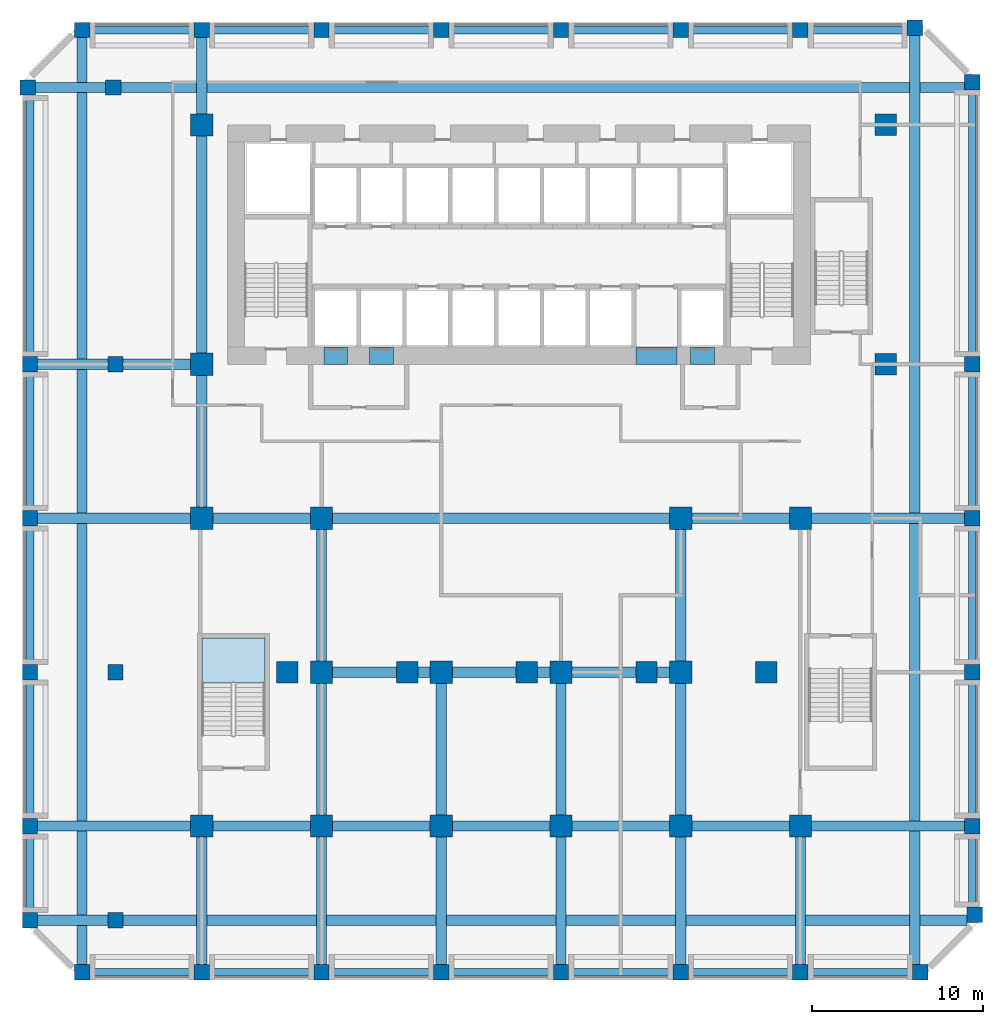
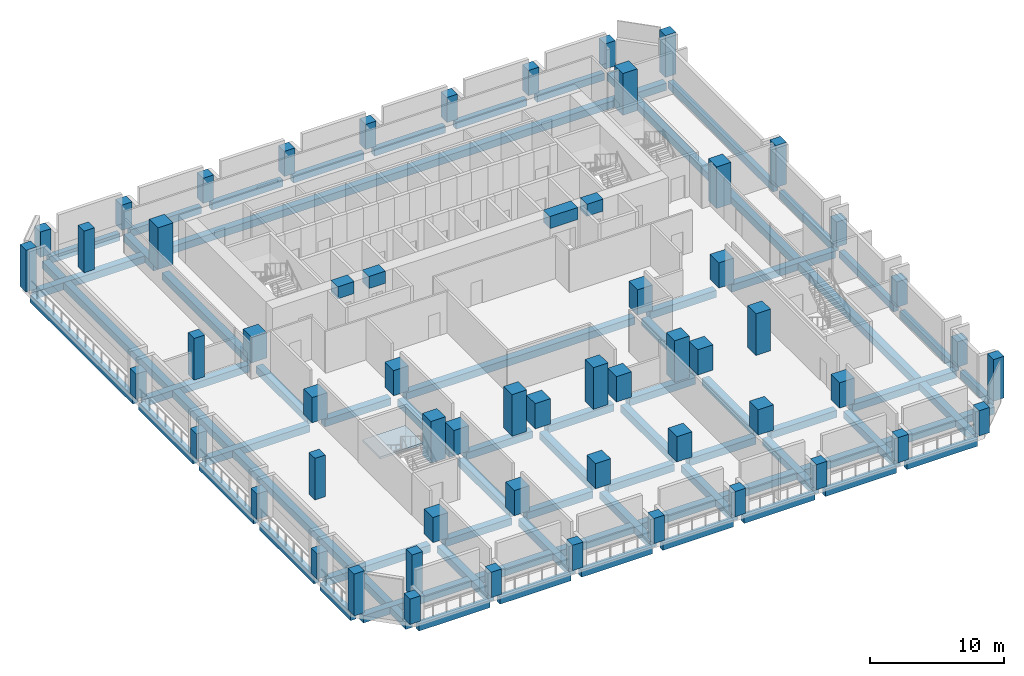
# One storey, part 1 of 10: 63 beams, 55 columns, 1 slab, 1 element without a shape of its own.
"""IFC4 building model written with IfcOpenShell, lengths in metres."""

import ifcopenshell
import ifcopenshell.guid

model = None  # the IFC model being written
_history = None  # IfcOwnerHistory: only IFC2X3 demands one
_inside = {}  # id of a spatial element -> (the spatial element, [elements in it])
_under = {}  # id of a project, library or spatial element -> (it, [spatial elements below it])
_declared = {}  # id of a project -> (the project, [libraries it declares])
_typed = {}  # id of a type object -> (the type object, [elements of that type])
_made_of = {}  # id of a material, layer set ... -> (it, [elements and type objects made of it])


def new_model(schema):
    """Start an empty IFC model of exactly this schema.

    Asked for "IFC4X3", IfcOpenShell would pick the latest addendum, in which some entities
    have other attributes; the version numbers below select the first issue.
    IFC2X3 requires an IfcOwnerHistory on every rooted entity: one is made here for all.
    """
    global model, _history
    if schema == "IFC4X3":
        model = ifcopenshell.file(schema_version=(4, 3, 0, 0))
    else:
        model = ifcopenshell.file(schema=schema)
    _inside.clear()
    _under.clear()
    _declared.clear()
    _typed.clear()
    _made_of.clear()
    _history = None
    if model.schema == "IFC2X3":
        org = make("IfcOrganization", Name="unknown")
        user = make(
            "IfcPersonAndOrganization",
            ThePerson=make("IfcPerson", FamilyName="unknown"),
            TheOrganization=org,
        )
        app = make(
            "IfcApplication",
            ApplicationDeveloper=org,
            Version="unknown",
            ApplicationFullName="unknown",
            ApplicationIdentifier="unknown",
        )
        _history = make(
            "IfcOwnerHistory",
            OwningUser=user,
            OwningApplication=app,
            ChangeAction="ADDED",
            CreationDate=0,
        )
    return model


def make(cls, **values):
    """One entity of the class cls with the attributes given. An attribute that is None is left unset."""
    return model.create_entity(
        cls, **{name: value for name, value in values.items() if value is not None}
    )


def rooted(cls, **values):
    """An entity with a GlobalId (a new one), such as an element, a storey or a relation."""
    return make(cls, GlobalId=ifcopenshell.guid.new(), OwnerHistory=_history, **values)


def si_unit(unit_type, name, prefix=None):
    """IfcSIUnit, for example si_unit("LENGTHUNIT", "METRE", prefix="MILLI")."""
    return make("IfcSIUnit", UnitType=unit_type, Prefix=prefix, Name=name)


def assignment(units):
    """IfcUnitAssignment: the units of a project."""
    return None if units is None else make("IfcUnitAssignment", Units=units)


def point(xyz):
    """IfcCartesianPoint."""
    return None if xyz is None else make("IfcCartesianPoint", Coordinates=xyz)


def direction(xyz):
    """IfcDirection."""
    return None if xyz is None else make("IfcDirection", DirectionRatios=xyz)


def frame(location, z_axis=None, x_axis=None):
    """IfcAxis2Placement3D, a coordinate frame: its origin and axes. An axis left out is left unset."""
    return make(
        "IfcAxis2Placement3D",
        Location=point(location),
        Axis=direction(z_axis),
        RefDirection=direction(x_axis),
    )


def frame_2d(location, x_axis=None):
    """IfcAxis2Placement2D, a coordinate frame in the plane: its origin and x axis."""
    return make(
        "IfcAxis2Placement2D", Location=point(location), RefDirection=direction(x_axis)
    )


def origin():
    """The frame at (0, 0, 0) with its axes left unset."""
    return frame((0.0, 0.0, 0.0))


def origin_2d():
    """The frame at (0, 0) in the plane with its x axis left unset."""
    return frame_2d((0.0, 0.0))


def place(relative_to, where):
    """IfcLocalPlacement: puts the frame where relative to a parent placement (None: the world)."""
    return make(
        "IfcLocalPlacement", PlacementRelTo=relative_to, RelativePlacement=where
    )


def context(
    kind, dimensions, precision=None, world=None, true_north=None, identifier=None
):
    """IfcGeometricRepresentationContext, for example the 3D "Model" context."""
    return make(
        "IfcGeometricRepresentationContext",
        ContextIdentifier=identifier,
        ContextType=kind,
        CoordinateSpaceDimension=dimensions,
        Precision=precision,
        WorldCoordinateSystem=world,
        TrueNorth=true_north,
    )


def subcontext(parent, identifier, kind, view, scale=None):
    """IfcGeometricRepresentationSubContext, for example "Body" below "Model"."""
    return make(
        "IfcGeometricRepresentationSubContext",
        ContextIdentifier=identifier,
        ContextType=kind,
        ParentContext=parent,
        TargetScale=scale,
        TargetView=view,
    )


def project(units=None, contexts=None):
    """IfcProject with its units and contexts."""
    return rooted(
        "IfcProject",
        Name="project",
        RepresentationContexts=contexts,
        UnitsInContext=assignment(units),
    )


def spatial(cls, under=None, at=None, **own):
    """A site, building, storey or space (cls), placed at a placement, below another one or the project."""
    s = rooted(cls, ObjectPlacement=at, **own)
    if under is not None:
        _under.setdefault(under.id(), (under, []))[1].append(s)
    return s


def polyline(points):
    """IfcPolyline through the points."""
    return make("IfcPolyline", Points=[point(p) for p in points])


def profile(cls, at=None, kind="AREA", **sizes):
    """A parametric profile (cls). Its sizes go by their IFC names, for example OverallWidth=200.0."""
    return make(cls, ProfileType=kind, Position=at, **sizes)


def rectangle(**sizes):
    """IfcRectangleProfileDef."""
    return profile("IfcRectangleProfileDef", **sizes)


def outline(outer, holes=None, kind="AREA"):
    """IfcArbitraryClosedProfileDef: a profile drawn as a closed curve; with holes, ...WithVoids."""
    if holes is None:
        return make("IfcArbitraryClosedProfileDef", ProfileType=kind, OuterCurve=outer)
    return make(
        "IfcArbitraryProfileDefWithVoids",
        ProfileType=kind,
        OuterCurve=outer,
        InnerCurves=holes,
    )


def extrude(swept, where, along, depth):
    """IfcExtrudedAreaSolid: the profile swept, set in the frame where, extruded along a direction by depth."""
    return make(
        "IfcExtrudedAreaSolid",
        SweptArea=swept,
        Position=where,
        ExtrudedDirection=direction(along),
        Depth=depth,
    )


def shape(context_of_items, identifier, shape_type, items):
    """IfcShapeRepresentation: the items that make up one representation, for example the "Body"."""
    return make(
        "IfcShapeRepresentation",
        ContextOfItems=context_of_items,
        RepresentationIdentifier=identifier,
        RepresentationType=shape_type,
        Items=items,
    )


def source(mapping_origin, context_of_items, identifier, shape_type, items):
    """IfcRepresentationMap: a shape defined once, which mapped items show again and again."""
    return make(
        "IfcRepresentationMap",
        MappingOrigin=mapping_origin,
        MappedRepresentation=shape(context_of_items, identifier, shape_type, items),
    )


def transform(
    local_origin,
    x_axis=None,
    y_axis=None,
    z_axis=None,
    scale=None,
    scale2=None,
    scale3=None,
    uniform=True,
):
    """IfcCartesianTransformationOperator3D, or its non-uniform kind. x_axis, y_axis, z_axis: its Axis1, 2, 3."""
    if uniform:
        return make(
            "IfcCartesianTransformationOperator3D",
            Axis1=direction(x_axis),
            Axis2=direction(y_axis),
            LocalOrigin=point(local_origin),
            Scale=scale,
            Axis3=direction(z_axis),
        )
    return make(
        "IfcCartesianTransformationOperator3DnonUniform",
        Axis1=direction(x_axis),
        Axis2=direction(y_axis),
        LocalOrigin=point(local_origin),
        Scale=scale,
        Axis3=direction(z_axis),
        Scale2=scale2,
        Scale3=scale3,
    )


def mapped(mapping_source, mapping_target):
    """IfcMappedItem: shows the shape of a source again, moved by a transform."""
    return make(
        "IfcMappedItem", MappingSource=mapping_source, MappingTarget=mapping_target
    )


def material(Name=None, Category=None):
    """IfcMaterial."""
    return make("IfcMaterial", Name=Name, Category=Category)


def layer(
    of_material, thickness, ventilated=None, Name=None, Category=None, Priority=None
):
    """IfcMaterialLayer: one layer of a wall or slab, of a material (None: an air gap)."""
    return make(
        "IfcMaterialLayer",
        Material=of_material,
        LayerThickness=thickness,
        IsVentilated=ventilated,
        Name=Name,
        Category=Category,
        Priority=Priority,
    )


def layer_set(layers, Name=None):
    """IfcMaterialLayerSet."""
    return make("IfcMaterialLayerSet", MaterialLayers=layers, LayerSetName=Name)


def material_profile(
    of_material, cross_section, Name=None, Category=None, Priority=None
):
    """IfcMaterialProfile: a cross section and its material."""
    return make(
        "IfcMaterialProfile",
        Name=Name,
        Material=of_material,
        Profile=cross_section,
        Priority=Priority,
        Category=Category,
    )


def profile_set(profiles, Name=None, composite=None):
    """IfcMaterialProfileSet."""
    return make(
        "IfcMaterialProfileSet",
        Name=Name,
        MaterialProfiles=profiles,
        CompositeProfile=composite,
    )


def made_of(thing, what):
    """Note that an element or type object is made of a material, layer set ...; save() writes the relation."""
    if what is not None:
        _made_of.setdefault(what.id(), (what, []))[1].append(thing)
    return thing


def type_object(cls, material=None, **own):
    """A type object (cls), such as IfcWallType, which elements share."""
    return made_of(rooted(cls, **own), material)


def element(
    cls,
    number,
    at=None,
    inside=None,
    cuts=None,
    type_object=None,
    material=None,
    context=None,
    identifier="Body",
    shape_type=None,
    held_by="IfcProductDefinitionShape",
    body=None,
    shapes=None,
    **own,
):
    """One element of the class cls, such as IfcWall. Its Tag is "e" and its number.

    at: its placement. inside: the storey or other place that contains it. cuts: it is an
    opening in that element (IfcRelVoidsElement). A single representation is given by context,
    identifier, shape_type and body (its items); several are given by shapes. held_by: the class
    of the entity that holds the representations. save() writes the other relations.
    """
    e = rooted(cls, Tag="e%d" % number, ObjectPlacement=at, **own)
    if body is not None:
        shapes = [shape(context, identifier, shape_type, body)]
    if shapes is not None:
        e.Representation = make(held_by, Representations=shapes)
    if inside is not None:
        _inside.setdefault(inside.id(), (inside, []))[1].append(e)
    if cuts is not None:
        rooted(
            "IfcRelVoidsElement", RelatingBuildingElement=cuts, RelatedOpeningElement=e
        )
    if type_object is not None:
        _typed.setdefault(type_object.id(), (type_object, []))[1].append(e)
    return made_of(e, material)


def aggregate(whole, parts):
    """IfcRelAggregates: a whole, such as a stair, and the parts it consists of."""
    return rooted("IfcRelAggregates", RelatingObject=whole, RelatedObjects=parts)


def save(model, path):
    """Write the relations noted so far, then the file.

    IfcRelAggregates (storeys below a building ...), IfcRelContainedInSpatialStructure (elements
    in a storey), IfcRelDefinesByType, IfcRelAssociatesMaterial and IfcRelDeclares: one each for
    every whole, place, type object, material and project.
    """
    for whole, parts in _under.values():
        aggregate(whole, parts)
    for where, things in _inside.values():
        rooted(
            "IfcRelContainedInSpatialStructure",
            RelatedElements=things,
            RelatingStructure=where,
        )
    for kind, things in _typed.values():
        rooted("IfcRelDefinesByType", RelatedObjects=things, RelatingType=kind)
    for what, things in _made_of.values():
        rooted("IfcRelAssociatesMaterial", RelatedObjects=things, RelatingMaterial=what)
    for by, libraries in _declared.values():
        rooted("IfcRelDeclares", RelatingContext=by, RelatedDefinitions=libraries)
    model.write(path)


model = new_model("IFC4")

# Units and contexts
model_context = context("Model", 3, precision=1e-05, world=origin(), true_north=direction((0.0, 1.0)))
body_context = subcontext(model_context, "Body", "Model", "MODEL_VIEW")
ifc_project = project(units=[si_unit("LENGTHUNIT", "METRE"), si_unit("AREAUNIT", "SQUARE_METRE"), si_unit("VOLUMEUNIT", "CUBIC_METRE"), si_unit("PLANEANGLEUNIT", "RADIAN"), si_unit("MASSUNIT", "GRAM", prefix="KILO")], contexts=[model_context])

# Site, building, storey
site_placement = place(None, origin())
site = spatial("IfcSite", under=ifc_project, at=site_placement, CompositionType="ELEMENT")
building_placement = place(site_placement, origin())
building = spatial("IfcBuilding", under=site, at=building_placement, Name="Kilnfold Tower and Market Hall", CompositionType="ELEMENT")
storey_placement = place(building_placement, frame((0.0, 0.0, 59.0)))
storey = spatial("IfcBuildingStorey", under=building, at=storey_placement, Name="L13 Plant Transfer Level", CompositionType="ELEMENT", Elevation=59.0)

# Columns
ifc_material_1 = material(Name="Concrete C80", Category="concrete")
ifc_material_profile_1 = material_profile(ifc_material_1, rectangle(XDim=0.89990234375, YDim=0.89990234375, at=origin_2d()), Name="RC 900x900")
ifc_profile_set_1 = profile_set([ifc_material_profile_1], Name="Concrete C80")
column_type_1 = type_object("IfcColumnType", Name="COLUMN 900X900 C80", PredefinedType="COLUMN", material=ifc_profile_set_1)
shared_shape_1 = source(origin(), body_context, "Body", "SweptSolid", [
    extrude(rectangle(XDim=0.89990234375, YDim=0.89990234375, at=origin_2d()), origin(), (0.0, 0.0, 1.0), 3.800048828125),
])
for number, where, z_axis, x_axis, name in (
    (1, (-27.681884765625, 24.181884765625, 0.0), (0.0, 0.0, 1.0), (1.0, 0.0, 0.0), "Column C-B1-1H"),
    (2, (-27.550048828125, -24.5, 0.0), (0.0, 0.0, 1.0), (1.0, 0.0, 0.0), "Column C-B1-1B"),
    (3, (27.550048828125, 8.0, 0.0), (0.0, 0.0, 1.0), (1.0, 0.0, 0.0), "Column C-B1-10F"),
    (4, (27.550048828125, 24.5, 0.0), (0.0, 0.0, 1.0), (1.0, 0.0, 0.0), "Column C-B1-10H"),
    (5, (27.681884765625, -24.181884765625, 0.0), (0.0, 0.0, 1.0), (1.0, 0.0, 0.0), "Column C-B1-10B"),
    (6, (-22.550048828125, -24.5, 0.0), (0.0, 0.0, 1.0), (1.0, 0.0, 0.0), "Column C-B2-1B"),
    (7, (-22.550048828125, -10.0, 0.0), (0.0, 0.0, 1.0), (1.0, 0.0, 0.0), "Column C-B2-1D"),
    (8, (-22.550048828125, 8.0, 0.0), (0.0, 0.0, 1.0), (1.0, 0.0, 0.0), "Column C-B2-1F"),
    (9, (-22.681884765625, 24.181884765625, 0.0), (0.0, 0.0, 1.0), (1.0, 0.0, 0.0), "Column C-B2-1H"),
):
    element("IfcColumn", number, at=place(storey_placement, frame(where, z_axis=z_axis, x_axis=x_axis)), inside=storey, type_object=column_type_1, Name=name, PredefinedType="COLUMN", context=body_context, shape_type="MappedRepresentation", body=[
        mapped(shared_shape_1, transform((0.0, 0.0, 0.0))),
    ])
shared_shape_2 = source(origin(), body_context, "Body", "SweptSolid", [
    extrude(rectangle(XDim=0.89990234375, YDim=0.89990234375, at=origin_2d()), origin(), (0.0, 0.0, 1.0), 2.300048828125),
])
for number, where, z_axis, x_axis, name in (
    (10, (-27.550048828125, -19.0, 0.0), (0.0, 0.0, 1.0), (1.0, 0.0, 0.0), "Column C-B1-1C"),
    (11, (-27.550048828125, -10.0, 0.0), (0.0, 0.0, 1.0), (1.0, 0.0, 0.0), "Column C-B1-1D"),
    (12, (-27.550048828125, -1.0, 0.0), (0.0, 0.0, 1.0), (1.0, 0.0, 0.0), "Column C-B1-1E"),
    (13, (-27.550048828125, 8.0, 0.0), (0.0, 0.0, 1.0), (1.0, 0.0, 0.0), "Column C-B1-1F"),
    (14, (-24.5, -27.550048828125, 0.0), (0.0, 0.0, 1.0), (1.0, 0.0, 0.0), "Column C-B1-2A"),
    (15, (-24.5, 27.550048828125, 0.0), (0.0, 0.0, 1.0), (1.0, 0.0, 0.0), "Column C-B1-2I"),
    (16, (-17.5, -27.550048828125, 0.0), (0.0, 0.0, 1.0), (1.0, 0.0, 0.0), "Column C-B1-3A"),
    (17, (-17.5, 27.550048828125, 0.0), (0.0, 0.0, 1.0), (1.0, 0.0, 0.0), "Column C-B1-3I"),
    (18, (-10.5, -27.550048828125, 0.0), (0.0, 0.0, 1.0), (1.0, 0.0, 0.0), "Column C-B1-4A"),
    (19, (-10.5, 27.550048828125, 0.0), (0.0, 0.0, 1.0), (1.0, 0.0, 0.0), "Column C-B1-4I"),
    (20, (-3.5, -27.550048828125, 0.0), (0.0, 0.0, 1.0), (1.0, 0.0, 0.0), "Column C-B1-5A"),
    (21, (-3.5, 27.550048828125, 0.0), (0.0, 0.0, 1.0), (1.0, 0.0, 0.0), "Column C-B1-5I"),
    (22, (3.5, -27.550048828125, 0.0), (0.0, 0.0, 1.0), (1.0, 0.0, 0.0), "Column C-B1-6A"),
    (23, (3.5, 27.550048828125, 0.0), (0.0, 0.0, 1.0), (1.0, 0.0, 0.0), "Column C-B1-6I"),
    (24, (10.5, -27.550048828125, 0.0), (0.0, 0.0, 1.0), (1.0, 0.0, 0.0), "Column C-B1-7A"),
    (25, (10.5, 27.550048828125, 0.0), (0.0, 0.0, 1.0), (1.0, 0.0, 0.0), "Column C-B1-7I"),
    (26, (17.5, -27.550048828125, 0.0), (0.0, 0.0, 1.0), (1.0, 0.0, 0.0), "Column C-B1-8A"),
    (27, (17.5, 27.550048828125, 0.0), (0.0, 0.0, 1.0), (1.0, 0.0, 0.0), "Column C-B1-8I"),
    (28, (24.181884765625, 27.681884765625, 0.0), (0.0, 0.0, 1.0), (1.0, 0.0, 0.0), "Column C-B1-9I"),
    (29, (24.5, -27.550048828125, 0.0), (0.0, 0.0, 1.0), (1.0, 0.0, 0.0), "Column C-B1-9A"),
    (30, (27.550048828125, -19.0, 0.0), (0.0, 0.0, 1.0), (1.0, 0.0, 0.0), "Column C-B1-10C"),
    (31, (27.550048828125, -10.0, 0.0), (0.0, 0.0, 1.0), (1.0, 0.0, 0.0), "Column C-B1-10D"),
    (32, (27.550048828125, -1.0, 0.0), (0.0, 0.0, 1.0), (1.0, 0.0, 0.0), "Column C-B1-10E"),
):
    element("IfcColumn", number, at=place(storey_placement, frame(where, z_axis=z_axis, x_axis=x_axis)), inside=storey, type_object=column_type_1, Name=name, PredefinedType="COLUMN", context=body_context, shape_type="MappedRepresentation", body=[
        mapped(shared_shape_2, transform((0.0, 0.0, 0.0))),
    ])
ifc_material_2 = material(Name="Concrete C80", Category="concrete")
ifc_material_profile_2 = material_profile(ifc_material_2, rectangle(XDim=1.300048828125, YDim=1.300048828125, at=origin_2d()), Name="RC 1300x1300")
ifc_profile_set_2 = profile_set([ifc_material_profile_2], Name="Concrete C80")
column_type_2 = type_object("IfcColumnType", Name="COLUMN 1300X1300 C80", PredefinedType="COLUMN", material=ifc_profile_set_2)
shared_shape_3 = source(origin(), body_context, "Body", "SweptSolid", [
    extrude(rectangle(XDim=1.300048828125, YDim=1.300048828125, at=origin_2d()), origin(), (0.0, 0.0, 1.0), 2.300048828125),
])
for number, where, z_axis, x_axis, name in (
    (33, (-17.5, -19.0, 0.0), (0.0, 0.0, 1.0), (1.0, 0.0, 0.0), "Column C-B1-3C"),
    (34, (-17.5, -1.0, 0.0), (0.0, 0.0, 1.0), (1.0, 0.0, 0.0), "Column C-B1-3E"),
    (35, (-17.5, 8.0, 0.0), (0.0, 0.0, 1.0), (1.0, 0.0, 0.0), "Column C-B1-3F"),
    (36, (-10.5, -19.0, 0.0), (0.0, 0.0, 1.0), (1.0, 0.0, 0.0), "Column C-B1-4C"),
    (37, (-10.5, -10.0, 0.0), (0.0, 0.0, 1.0), (1.0, 0.0, 0.0), "Column C-B1-4D"),
    (38, (-10.5, -1.0, 0.0), (0.0, 0.0, 1.0), (1.0, 0.0, 0.0), "Column C-B1-4E"),
    (39, (-3.5, -19.0, 0.0), (0.0, 0.0, 1.0), (1.0, 0.0, 0.0), "Column C-B1-5C"),
    (40, (-3.5, -10.0, 0.0), (0.0, 0.0, 1.0), (1.0, 0.0, 0.0), "Column C-B1-5D"),
    (41, (3.5, -19.0, 0.0), (0.0, 0.0, 1.0), (1.0, 0.0, 0.0), "Column C-B1-6C"),
    (42, (3.5, -10.0, 0.0), (0.0, 0.0, 1.0), (1.0, 0.0, 0.0), "Column C-B1-6D"),
    (43, (10.5, -19.0, 0.0), (0.0, 0.0, 1.0), (1.0, 0.0, 0.0), "Column C-B1-7C"),
    (44, (10.5, -10.0, 0.0), (0.0, 0.0, 1.0), (1.0, 0.0, 0.0), "Column C-B1-7D"),
    (45, (10.5, -1.0, 0.0), (0.0, 0.0, 1.0), (1.0, 0.0, 0.0), "Column C-B1-7E"),
    (46, (17.5, -19.0, 0.0), (0.0, 0.0, 1.0), (1.0, 0.0, 0.0), "Column C-B1-8C"),
    (47, (17.5, -1.0, 0.0), (0.0, 0.0, 1.0), (1.0, 0.0, 0.0), "Column C-B1-8E"),
):
    element("IfcColumn", number, at=place(storey_placement, frame(where, z_axis=z_axis, x_axis=x_axis)), inside=storey, type_object=column_type_2, Name=name, PredefinedType="COLUMN", context=body_context, shape_type="MappedRepresentation", body=[
        mapped(shared_shape_3, transform((0.0, 0.0, 0.0))),
    ])
shared_shape_4 = source(origin(), body_context, "Body", "SweptSolid", [
    extrude(rectangle(XDim=1.300048828125, YDim=1.300048828125, at=origin_2d()), origin(), (0.0, 0.0, 1.0), 3.800048828125),
])
column_placement = place(storey_placement, frame((-17.5, 22.0, 0.0), z_axis=(0.0, 0.0, 1.0), x_axis=(1.0, 0.0, 0.0)))
element("IfcColumn", 48, at=column_placement, inside=storey, type_object=column_type_2, Name="Column C-B1-3G", PredefinedType="COLUMN", context=body_context, shape_type="MappedRepresentation", body=[
    mapped(shared_shape_4, transform((0.0, 0.0, 0.0))),
])
ifc_material_3 = material(Name="Concrete C80", Category="concrete")
ifc_material_profile_3 = material_profile(ifc_material_3, rectangle(XDim=1.25, YDim=1.25, at=origin_2d()), Name="RC 1250x1250")
ifc_profile_set_3 = profile_set([ifc_material_profile_3], Name="Concrete C80")
column_type_3 = type_object("IfcColumnType", Name="COLUMN 1250X1250 C80", PredefinedType="COLUMN", material=ifc_profile_set_3)
shared_shape_5 = source(origin(), body_context, "Body", "SweptSolid", [
    extrude(rectangle(XDim=1.25, YDim=1.25, at=origin_2d()), origin(), (0.0, 0.0, 1.0), 3.800048828125),
])
for number, where, z_axis, x_axis, name in (
    (49, (-12.5, -10.0, 0.0), (0.0, 0.0, 1.0), (1.0, 0.0, 0.0), "Column C-B2-3D"),
    (50, (-5.5, -10.0, 0.0), (0.0, 0.0, 1.0), (1.0, 0.0, 0.0), "Column C-B2-4D"),
    (51, (1.5, -10.0, 0.0), (0.0, 0.0, 1.0), (1.0, 0.0, 0.0), "Column C-B2-5D"),
    (52, (8.5, -10.0, 0.0), (0.0, 0.0, 1.0), (1.0, 0.0, 0.0), "Column C-B2-6D"),
    (53, (15.5, -10.0, 0.0), (0.0, 0.0, 1.0), (1.0, 0.0, 0.0), "Column C-B2-7D"),
    (54, (22.5, 8.0, 0.0), (0.0, 0.0, 1.0), (1.0, 0.0, 0.0), "Column C-B2-8F"),
    (55, (22.5, 22.0, 0.0), (0.0, 0.0, 1.0), (1.0, 0.0, 0.0), "Column C-B2-8G"),
):
    element("IfcColumn", number, at=place(storey_placement, frame(where, z_axis=z_axis, x_axis=x_axis)), inside=storey, type_object=column_type_3, Name=name, PredefinedType="COLUMN", context=body_context, shape_type="MappedRepresentation", body=[
        mapped(shared_shape_5, transform((0.0, 0.0, 0.0))),
    ])

# Beams
ifc_material_4 = material(Name="Concrete C45", Category="concrete")
ifc_material_profile_4 = material_profile(ifc_material_4, rectangle(XDim=0.449951171875, YDim=0.64990234375, at=origin_2d()), Name="RC 450x650")
ifc_profile_set_4 = profile_set([ifc_material_profile_4], Name="Concrete C45")
beam_type_1 = type_object("IfcBeamType", Name="EDGE BEAM 450X650 C45", PredefinedType="BEAM", material=ifc_profile_set_4)
shared_shape_6 = source(origin(), body_context, "Body", "SweptSolid", [
    extrude(rectangle(XDim=0.449951171875, YDim=0.64990234375, at=origin_2d()), origin(), (0.0, 0.0, 1.0), 6.10009765625),
])
for number, where, z_axis, x_axis, name in (
    (56, (-24.050048828125, -27.550048828125, -0.72509765625), (1.0, 0.0, 0.0), (0.0, 1.0, 0.0), "Beam EB650-B1.1"),
    (57, (-17.050048828125, -27.550048828125, -0.72509765625), (1.0, 0.0, 0.0), (0.0, 1.0, 0.0), "Beam EB650-B1.54"),
    (58, (-10.050048828125, -27.550048828125, -0.72509765625), (1.0, 0.0, 0.0), (0.0, 1.0, 0.0), "Beam EB650-B1.2"),
    (59, (-3.050048828125, -27.550048828125, -0.72509765625), (1.0, 0.0, 0.0), (0.0, 1.0, 0.0), "Beam EB650-B1.3"),
    (60, (3.949951171875, -27.550048828125, -0.72509765625), (1.0, 0.0, 0.0), (0.0, 1.0, 0.0), "Beam EB650-B1.4"),
    (61, (10.949951171875, -27.550048828125, -0.72509765625), (1.0, 0.0, 0.0), (0.0, 1.0, 0.0), "Beam EB650-B1.5"),
    (62, (17.949951171875, -27.550048828125, -0.72509765625), (1.0, 0.0, 0.0), (0.0, 1.0, 0.0), "Beam EB650-B1.6"),
    (63, (-24.050048828125, 27.550048828125, -0.72509765625), (1.0, 0.0, 0.0), (0.0, 1.0, 0.0), "Beam EB650-B1.23"),
    (64, (-17.050048828125, 27.550048828125, -0.72509765625), (1.0, 0.0, 0.0), (0.0, 1.0, 0.0), "Beam EB650-B1.24"),
    (65, (-10.050048828125, 27.550048828125, -0.72509765625), (1.0, 0.0, 0.0), (0.0, 1.0, 0.0), "Beam EB650-B1.25"),
    (66, (-3.050048828125, 27.550048828125, -0.72509765625), (1.0, 0.0, 0.0), (0.0, 1.0, 0.0), "Beam EB650-B1.26"),
    (67, (3.949951171875, 27.550048828125, -0.72509765625), (1.0, 0.0, 0.0), (0.0, 1.0, 0.0), "Beam EB650-B1.27"),
    (68, (10.949951171875, 27.550048828125, -0.72509765625), (1.0, 0.0, 0.0), (0.0, 1.0, 0.0), "Beam EB650-B1.28"),
):
    element("IfcBeam", number, at=place(storey_placement, frame(where, z_axis=z_axis, x_axis=x_axis)), inside=storey, type_object=beam_type_1, Name=name, PredefinedType="BEAM", context=body_context, shape_type="MappedRepresentation", body=[
        mapped(shared_shape_6, transform((0.0, 0.0, 0.0))),
    ])
ifc_material_5 = material(Name="Concrete C45", Category="concrete")
ifc_material_profile_5 = material_profile(ifc_material_5, rectangle(XDim=0.60009765625, YDim=0.64990234375, at=origin_2d()), Name="RC 600x650")
ifc_profile_set_5 = profile_set([ifc_material_profile_5], Name="Concrete C45")
beam_type_2 = type_object("IfcBeamType", Name="BEAM 600X650 C45", PredefinedType="BEAM", material=ifc_profile_set_5)
shared_shape_7 = source(origin(), body_context, "Body", "SweptSolid", [
    extrude(rectangle(XDim=0.60009765625, YDim=0.64990234375, at=origin_2d()), origin(), (0.0, 0.0, 1.0), 8.9501953125),
])
for number, where, z_axis, x_axis, name in (
    (69, (-27.10009765625, -19.0, -0.72509765625), (1.0, 0.0, 0.0), (0.0, 1.0, 0.0), "Beam BB650-B1.7"),
    (70, (18.14990234375, -19.0, -0.72509765625), (1.0, 0.0, 0.0), (0.0, 1.0, 0.0), "Beam BB650-B1.12"),
    (71, (-27.10009765625, -1.0, -0.72509765625), (1.0, 0.0, 0.0), (0.0, 1.0, 0.0), "Beam BB650-B1.16"),
    (72, (18.14990234375, -1.0, -0.72509765625), (1.0, 0.0, 0.0), (0.0, 1.0, 0.0), "Beam BB650-B1.20"),
    (73, (-27.10009765625, 8.0, -0.72509765625), (1.0, 0.0, 0.0), (0.0, 1.0, 0.0), "Beam BB650-B1.21"),
):
    element("IfcBeam", number, at=place(storey_placement, frame(where, z_axis=z_axis, x_axis=x_axis)), inside=storey, type_object=beam_type_2, Name=name, PredefinedType="BEAM", context=body_context, shape_type="MappedRepresentation", body=[
        mapped(shared_shape_7, transform((0.0, 0.0, 0.0))),
    ])
shared_shape_8 = source(origin(), body_context, "Body", "SweptSolid", [
    extrude(rectangle(XDim=0.60009765625, YDim=0.64990234375, at=origin_2d()), origin(), (0.0, 0.0, 1.0), 5.7001953125),
])
for number, where, z_axis, x_axis, name in (
    (74, (-16.85009765625, -19.0, -0.72509765625), (1.0, 0.0, 0.0), (0.0, 1.0, 0.0), "Beam BB650-B1.56"),
    (75, (-9.85009765625, -19.0, -0.72509765625), (1.0, 0.0, 0.0), (0.0, 1.0, 0.0), "Beam BB650-B1.8"),
    (76, (-2.85009765625, -19.0, -0.72509765625), (1.0, 0.0, 0.0), (0.0, 1.0, 0.0), "Beam BB650-B1.9"),
    (77, (4.14990234375, -19.0, -0.72509765625), (1.0, 0.0, 0.0), (0.0, 1.0, 0.0), "Beam BB650-B1.10"),
    (78, (11.14990234375, -19.0, -0.72509765625), (1.0, 0.0, 0.0), (0.0, 1.0, 0.0), "Beam BB650-B1.11"),
    (79, (-9.85009765625, -10.0, -0.72509765625), (1.0, 0.0, 0.0), (0.0, 1.0, 0.0), "Beam BB650-B1.13"),
    (80, (-2.85009765625, -10.0, -0.72509765625), (1.0, 0.0, 0.0), (0.0, 1.0, 0.0), "Beam BB650-B1.14"),
    (81, (4.14990234375, -10.0, -0.72509765625), (1.0, 0.0, 0.0), (0.0, 1.0, 0.0), "Beam BB650-B1.15"),
    (82, (-16.85009765625, -1.0, -0.72509765625), (1.0, 0.0, 0.0), (0.0, 1.0, 0.0), "Beam BB650-B1.17"),
    (83, (11.14990234375, -1.0, -0.72509765625), (1.0, 0.0, 0.0), (0.0, 1.0, 0.0), "Beam BB650-B1.19"),
):
    element("IfcBeam", number, at=place(storey_placement, frame(where, z_axis=z_axis, x_axis=x_axis)), inside=storey, type_object=beam_type_2, Name=name, PredefinedType="BEAM", context=body_context, shape_type="MappedRepresentation", body=[
        mapped(shared_shape_8, transform((0.0, 0.0, 0.0))),
    ])
shared_shape_9 = source(origin(), body_context, "Body", "SweptSolid", [
    extrude(rectangle(XDim=0.60009765625, YDim=0.64990234375, at=origin_2d()), origin(), (0.0, 0.0, 1.0), 19.7001953125),
])
beam_1_placement = place(storey_placement, frame((-9.85009765625, -1.0, -0.72509765625), z_axis=(1.0, 0.0, 0.0), x_axis=(0.0, 1.0, 0.0)))
element("IfcBeam", 84, at=beam_1_placement, inside=storey, type_object=beam_type_2, Name="Beam BB650-B1.18", PredefinedType="BEAM", context=body_context, shape_type="MappedRepresentation", body=[
    mapped(shared_shape_9, transform((0.0, 0.0, 0.0))),
])
shared_shape_10 = source(origin(), body_context, "Body", "SweptSolid", [
    extrude(rectangle(XDim=0.60009765625, YDim=0.64990234375, at=origin_2d()), origin(), (0.0, 0.0, 1.0), 54.331787109375),
])
for number, where, z_axis, x_axis, name in (
    (85, (-27.10009765625, -24.5, -0.72509765625), (1.0, 0.0, 0.0), (0.0, 1.0, 0.0), "Beam BB650-B1.55"),
    (86, (-27.231689453125, 24.179931640625, -0.72509765625), (1.0, 0.0, 0.0), (0.0, 1.0, 0.0), "Beam BB650-B1.22"),
    (87, (24.179931640625, -27.10009765625, -0.72509765625), (0.0, 1.0, 0.0), (-1.0, 0.0, 0.0), "Beam BB650-B1.57"),
):
    element("IfcBeam", number, at=place(storey_placement, frame(where, z_axis=z_axis, x_axis=x_axis)), inside=storey, type_object=beam_type_2, Name=name, PredefinedType="BEAM", context=body_context, shape_type="MappedRepresentation", body=[
        mapped(shared_shape_10, transform((0.0, 0.0, 0.0))),
    ])
shared_shape_11 = source(origin(), body_context, "Body", "SweptSolid", [
    extrude(rectangle(XDim=0.449951171875, YDim=0.64990234375, at=origin_2d()), origin(), (0.0, 0.0, 1.0), 5.78173828125),
])
beam_2_placement = place(storey_placement, frame((17.949951171875, 27.550048828125, -0.72509765625), z_axis=(1.0, 0.0, 0.0), x_axis=(0.0, 1.0, 0.0)))
element("IfcBeam", 88, at=beam_2_placement, inside=storey, type_object=beam_type_1, Name="Beam EB650-B1.29", PredefinedType="BEAM", context=body_context, shape_type="MappedRepresentation", body=[
    mapped(shared_shape_11, transform((0.0, 0.0, 0.0))),
])
shared_shape_12 = source(origin(), body_context, "Body", "SweptSolid", [
    extrude(rectangle(XDim=0.449951171875, YDim=0.64990234375, at=origin_2d()), origin(), (0.0, 0.0, 1.0), 4.60009765625),
])
beam_3_placement = place(storey_placement, frame((-27.550048828125, -24.050048828125, -0.72509765625), z_axis=(0.0, 1.0, 0.0), x_axis=(-1.0, 0.0, 0.0)))
element("IfcBeam", 89, at=beam_3_placement, inside=storey, type_object=beam_type_1, Name="Beam EB650-B1.30", PredefinedType="BEAM", context=body_context, shape_type="MappedRepresentation", body=[
    mapped(shared_shape_12, transform((0.0, 0.0, 0.0))),
])
shared_shape_13 = source(origin(), body_context, "Body", "SweptSolid", [
    extrude(rectangle(XDim=0.449951171875, YDim=0.64990234375, at=origin_2d()), origin(), (0.0, 0.0, 1.0), 8.10009765625),
])
for number, where, z_axis, x_axis, name in (
    (90, (-27.550048828125, -18.550048828125, -0.72509765625), (0.0, 1.0, 0.0), (-1.0, 0.0, 0.0), "Beam EB650-B1.31"),
    (91, (-27.550048828125, -9.550048828125, -0.72509765625), (0.0, 1.0, 0.0), (-1.0, 0.0, 0.0), "Beam EB650-B1.32"),
    (92, (-27.550048828125, -0.550048828125, -0.72509765625), (0.0, 1.0, 0.0), (-1.0, 0.0, 0.0), "Beam EB650-B1.33"),
    (93, (27.550048828125, -18.550048828125, -0.72509765625), (0.0, 1.0, 0.0), (-1.0, 0.0, 0.0), "Beam EB650-B1.52"),
    (94, (27.550048828125, -9.550048828125, -0.72509765625), (0.0, 1.0, 0.0), (-1.0, 0.0, 0.0), "Beam EB650-B1.58"),
    (95, (27.550048828125, -0.550048828125, -0.72509765625), (0.0, 1.0, 0.0), (-1.0, 0.0, 0.0), "Beam EB650-B1.53"),
):
    element("IfcBeam", number, at=place(storey_placement, frame(where, z_axis=z_axis, x_axis=x_axis)), inside=storey, type_object=beam_type_1, Name=name, PredefinedType="BEAM", context=body_context, shape_type="MappedRepresentation", body=[
        mapped(shared_shape_13, transform((0.0, 0.0, 0.0))),
    ])
shared_shape_14 = source(origin(), body_context, "Body", "SweptSolid", [
    extrude(rectangle(XDim=0.449951171875, YDim=0.64990234375, at=origin_2d()), origin(), (0.0, 0.0, 1.0), 15.28173828125),
])
beam_4_placement = place(storey_placement, frame((-27.550048828125, 8.449951171875, -0.72509765625), z_axis=(0.0, 1.0, 0.0), x_axis=(-1.0, 0.0, 0.0)))
element("IfcBeam", 96, at=beam_4_placement, inside=storey, type_object=beam_type_1, Name="Beam EB650-B1.34", PredefinedType="BEAM", context=body_context, shape_type="MappedRepresentation", body=[
    mapped(shared_shape_14, transform((0.0, 0.0, 0.0))),
])
shared_shape_15 = source(origin(), body_context, "Body", "SweptSolid", [
    extrude(rectangle(XDim=0.60009765625, YDim=0.64990234375, at=origin_2d()), origin(), (0.0, 0.0, 1.0), 54.2001953125),
])
beam_5_placement = place(storey_placement, frame((-24.5, -27.10009765625, -0.72509765625), z_axis=(0.0, 1.0, 0.0), x_axis=(-1.0, 0.0, 0.0)))
element("IfcBeam", 97, at=beam_5_placement, inside=storey, type_object=beam_type_2, Name="Beam BB650-B1.35", PredefinedType="BEAM", context=body_context, shape_type="MappedRepresentation", body=[
    mapped(shared_shape_15, transform((0.0, 0.0, 0.0))),
])
shared_shape_16 = source(origin(), body_context, "Body", "SweptSolid", [
    extrude(rectangle(XDim=0.60009765625, YDim=0.64990234375, at=origin_2d()), origin(), (0.0, 0.0, 1.0), 7.4501953125),
])
for number, where, z_axis, x_axis, name in (
    (98, (-17.5, -27.10009765625, -0.72509765625), (0.0, 1.0, 0.0), (-1.0, 0.0, 0.0), "Beam BB650-B1.36"),
    (99, (-10.5, -27.10009765625, -0.72509765625), (0.0, 1.0, 0.0), (-1.0, 0.0, 0.0), "Beam BB650-B1.40"),
    (100, (-3.5, -27.10009765625, -0.72509765625), (0.0, 1.0, 0.0), (-1.0, 0.0, 0.0), "Beam BB650-B1.43"),
    (101, (3.5, -27.10009765625, -0.72509765625), (0.0, 1.0, 0.0), (-1.0, 0.0, 0.0), "Beam BB650-B1.45"),
    (102, (10.5, -27.10009765625, -0.72509765625), (0.0, 1.0, 0.0), (-1.0, 0.0, 0.0), "Beam BB650-B1.47"),
    (103, (17.5, -27.10009765625, -0.72509765625), (0.0, 1.0, 0.0), (-1.0, 0.0, 0.0), "Beam BB650-B1.50"),
):
    element("IfcBeam", number, at=place(storey_placement, frame(where, z_axis=z_axis, x_axis=x_axis)), inside=storey, type_object=beam_type_2, Name=name, PredefinedType="BEAM", context=body_context, shape_type="MappedRepresentation", body=[
        mapped(shared_shape_16, transform((0.0, 0.0, 0.0))),
    ])
shared_shape_17 = source(origin(), body_context, "Body", "SweptSolid", [
    extrude(rectangle(XDim=0.60009765625, YDim=0.64990234375, at=origin_2d()), origin(), (0.0, 0.0, 1.0), 7.7001953125),
])
for number, where, z_axis, x_axis, name in (
    (104, (-17.5, -0.35009765625, -0.72509765625), (0.0, 1.0, 0.0), (-1.0, 0.0, 0.0), "Beam BB650-B1.37"),
    (105, (-10.5, -18.35009765625, -0.72509765625), (0.0, 1.0, 0.0), (-1.0, 0.0, 0.0), "Beam BB650-B1.41"),
    (106, (-10.5, -9.35009765625, -0.72509765625), (0.0, 1.0, 0.0), (-1.0, 0.0, 0.0), "Beam BB650-B1.42"),
    (107, (-3.5, -18.35009765625, -0.72509765625), (0.0, 1.0, 0.0), (-1.0, 0.0, 0.0), "Beam BB650-B1.44"),
    (108, (3.5, -18.35009765625, -0.72509765625), (0.0, 1.0, 0.0), (-1.0, 0.0, 0.0), "Beam BB650-B1.46"),
    (109, (10.5, -18.35009765625, -0.72509765625), (0.0, 1.0, 0.0), (-1.0, 0.0, 0.0), "Beam BB650-B1.48"),
    (110, (10.5, -9.35009765625, -0.72509765625), (0.0, 1.0, 0.0), (-1.0, 0.0, 0.0), "Beam BB650-B1.49"),
):
    element("IfcBeam", number, at=place(storey_placement, frame(where, z_axis=z_axis, x_axis=x_axis)), inside=storey, type_object=beam_type_2, Name=name, PredefinedType="BEAM", context=body_context, shape_type="MappedRepresentation", body=[
        mapped(shared_shape_17, transform((0.0, 0.0, 0.0))),
    ])
shared_shape_18 = source(origin(), body_context, "Body", "SweptSolid", [
    extrude(rectangle(XDim=0.60009765625, YDim=0.64990234375, at=origin_2d()), origin(), (0.0, 0.0, 1.0), 12.7001953125),
])
beam_6_placement = place(storey_placement, frame((-17.5, 8.64990234375, -0.72509765625), z_axis=(0.0, 1.0, 0.0), x_axis=(-1.0, 0.0, 0.0)))
element("IfcBeam", 111, at=beam_6_placement, inside=storey, type_object=beam_type_2, Name="Beam BB650-B1.38", PredefinedType="BEAM", context=body_context, shape_type="MappedRepresentation", body=[
    mapped(shared_shape_18, transform((0.0, 0.0, 0.0))),
])
shared_shape_19 = source(origin(), body_context, "Body", "SweptSolid", [
    extrude(rectangle(XDim=0.60009765625, YDim=0.64990234375, at=origin_2d()), origin(), (0.0, 0.0, 1.0), 4.4501953125),
])
beam_7_placement = place(storey_placement, frame((-17.5, 22.64990234375, -0.72509765625), z_axis=(0.0, 1.0, 0.0), x_axis=(-1.0, 0.0, 0.0)))
element("IfcBeam", 112, at=beam_7_placement, inside=storey, type_object=beam_type_2, Name="Beam BB650-B1.39", PredefinedType="BEAM", context=body_context, shape_type="MappedRepresentation", body=[
    mapped(shared_shape_19, transform((0.0, 0.0, 0.0))),
])
shared_shape_20 = source(origin(), body_context, "Body", "SweptSolid", [
    extrude(rectangle(XDim=0.449951171875, YDim=0.64990234375, at=origin_2d()), origin(), (0.0, 0.0, 1.0), 4.28173828125),
])
beam_8_placement = place(storey_placement, frame((27.550048828125, -23.731689453125, -0.72509765625), z_axis=(0.0, 1.0, 0.0), x_axis=(-1.0, 0.0, 0.0)))
element("IfcBeam", 113, at=beam_8_placement, inside=storey, type_object=beam_type_1, Name="Beam EB650-B1.51", PredefinedType="BEAM", context=body_context, shape_type="MappedRepresentation", body=[
    mapped(shared_shape_20, transform((0.0, 0.0, 0.0))),
])
shared_shape_21 = source(origin(), body_context, "Body", "SweptSolid", [
    extrude(rectangle(XDim=0.449951171875, YDim=0.64990234375, at=origin_2d()), origin(), (0.0, 0.0, 1.0), 15.60009765625),
])
beam_9_placement = place(storey_placement, frame((27.550048828125, 8.449951171875, -0.72509765625), z_axis=(0.0, 1.0, 0.0), x_axis=(-1.0, 0.0, 0.0)))
element("IfcBeam", 114, at=beam_9_placement, inside=storey, type_object=beam_type_1, Name="Beam EB650-B1.59", PredefinedType="BEAM", context=body_context, shape_type="MappedRepresentation", body=[
    mapped(shared_shape_21, transform((0.0, 0.0, 0.0))),
])
ifc_material_6 = material(Name="Concrete C80", Category="concrete")
ifc_material_profile_6 = material_profile(ifc_material_6, rectangle(XDim=1.0, YDim=1.10009765625, at=origin_2d()), Name="RC 1000x1100")
ifc_profile_set_6 = profile_set([ifc_material_profile_6], Name="Concrete C80")
beam_type_3 = type_object("IfcBeamType", Name="COUPLING BEAM 1000X1100 C80", PredefinedType="BEAM", material=ifc_profile_set_6)
shared_shape_22 = source(origin(), body_context, "Body", "SweptSolid", [
    extrude(rectangle(XDim=1.0, YDim=1.10009765625, at=origin_2d()), origin(), (0.0, 0.0, 1.0), 1.400146484375),
])
beam_10_placement = place(storey_placement, frame((-10.3701171875, 8.5, 3.25), z_axis=(1.0, 0.0, 0.0), x_axis=(0.0, 1.0, 0.0)))
element("IfcBeam", 115, at=beam_10_placement, inside=storey, type_object=beam_type_3, Name="Coupling beam CB1100-80-CORE.42", PredefinedType="BEAM", context=body_context, shape_type="MappedRepresentation", body=[
    mapped(shared_shape_22, transform((0.0, 0.0, 0.0))),
])
shared_shape_23 = source(origin(), body_context, "Body", "SweptSolid", [
    extrude(rectangle(XDim=1.0, YDim=1.10009765625, at=origin_2d()), origin(), (0.0, 0.0, 1.0), 1.39990234375),
])
for number, where, z_axis, x_axis, name in (
    (116, (-7.68994140625, 8.5, 3.25), (1.0, 0.0, 0.0), (0.0, 1.0, 0.0), "Coupling beam CB1100-80-CORE.43"),
    (117, (11.070068359375, 8.5, 3.25), (1.0, 0.0, 0.0), (0.0, 1.0, 0.0), "Coupling beam CB1100-80-CORE.45"),
):
    element("IfcBeam", number, at=place(storey_placement, frame(where, z_axis=z_axis, x_axis=x_axis)), inside=storey, type_object=beam_type_3, Name=name, PredefinedType="BEAM", context=body_context, shape_type="MappedRepresentation", body=[
        mapped(shared_shape_23, transform((0.0, 0.0, 0.0))),
    ])
shared_shape_24 = source(origin(), body_context, "Body", "SweptSolid", [
    extrude(rectangle(XDim=1.0, YDim=1.10009765625, at=origin_2d()), origin(), (0.0, 0.0, 1.0), 2.400146484375),
])
beam_11_placement = place(storey_placement, frame((7.889892578125, 8.5, 3.25), z_axis=(1.0, 0.0, 0.0), x_axis=(0.0, 1.0, 0.0)))
element("IfcBeam", 118, at=beam_11_placement, inside=storey, type_object=beam_type_3, Name="Coupling beam CB1100-80-CORE.44", PredefinedType="BEAM", context=body_context, shape_type="MappedRepresentation", body=[
    mapped(shared_shape_24, transform((0.0, 0.0, 0.0))),
])

# Stair, slab
ifc_material_7 = material(Name="Concrete C40/50", Category="concrete")
stair_type = type_object("IfcStairType", Name="CORE STAIR 1800", PredefinedType="HALF_TURN_STAIR", material=ifc_material_7)
stair_placement = place(storey_placement, origin())
stair = element("IfcStair", 119, at=stair_placement, inside=storey, type_object=stair_type, Name="L13 Plant Transfer Level ST3", PredefinedType="HALF_TURN_STAIR")
ifc_material_8 = material(Name="Concrete C40/50", Category="concrete")
ifc_layer = layer(ifc_material_8, 0.199951171875)
ifc_layer_set = layer_set([ifc_layer], Name="Concrete C40/50")
slab_type = type_object("IfcSlabType", Name="CORE STAIR LANDING 200", PredefinedType="LANDING", material=ifc_layer_set)
shared_shape_25 = source(origin(), body_context, "Body", "SweptSolid", [
    extrude(outline(polyline([(-13.800048828125, -10.6201171875), (-13.800048828125, -8.0), (-17.5, -8.0), (-17.5, -10.6201171875), (-13.800048828125, -10.6201171875)])), origin(), (0.0, 0.0, 1.0), 0.2001953125),
])
slab_placement = place(storey_placement, frame((0.0, 0.0, 1.89990234375)))
slab = element("IfcSlab", 120, at=slab_placement, type_object=slab_type, Name="ST3 landing 1", PredefinedType="LANDING", context=body_context, shape_type="MappedRepresentation", body=[
    mapped(shared_shape_25, transform((0.0, 0.0, 0.0))),
])
aggregate(stair, [slab])

save(model, "model.ifc")
